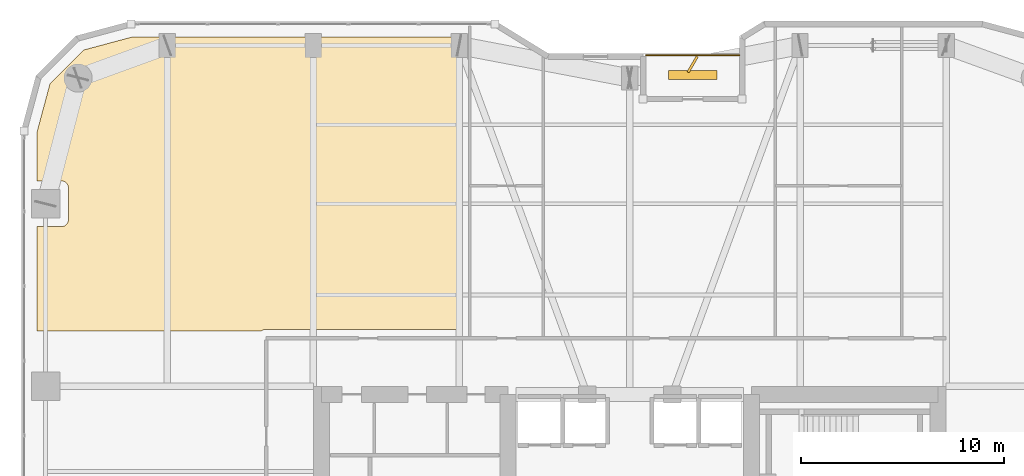
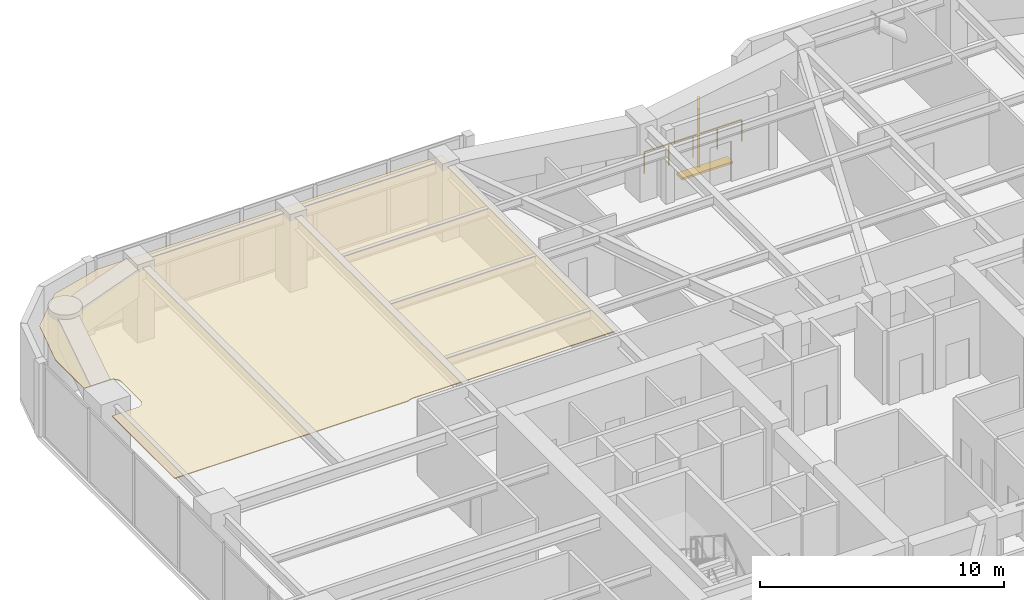
# One storey, part 30 of 30: 2 shading devices, 1 covering, 1 railing.
"""IFC4 building model written with IfcOpenShell, lengths in metres."""

from ifc_helpers import new_model, si_unit, direction, frame, origin, origin_2d, place, context, subcontext, project, spatial, polyline, rectangle, outline, extrude, material, layer, layer_set, type_object, element, save


model = new_model("IFC4")

# Units and contexts
model_context = context("Model", 3, precision=1e-05, world=origin(), true_north=direction((0.0, 1.0)))
body_context = subcontext(model_context, "Body", "Model", "MODEL_VIEW")
ifc_project = project(units=[si_unit("LENGTHUNIT", "METRE"), si_unit("AREAUNIT", "SQUARE_METRE"), si_unit("VOLUMEUNIT", "CUBIC_METRE"), si_unit("PLANEANGLEUNIT", "RADIAN"), si_unit("MASSUNIT", "GRAM", prefix="KILO")], contexts=[model_context])

# Site, building, storey
site_placement = place(None, origin())
site = spatial("IfcSite", under=ifc_project, at=site_placement, CompositionType="ELEMENT")
building_placement = place(site_placement, origin())
building = spatial("IfcBuilding", under=site, at=building_placement, Name="Kiyonajd Concourse Tower", CompositionType="ELEMENT")
storey_placement = place(building_placement, frame((0.0, 0.0, 150.60009765625)))
storey = spatial("IfcBuildingStorey", under=building, at=storey_placement, Name="L38", CompositionType="ELEMENT", Elevation=150.60009765625)

# Covering
ifc_material_1 = material(Name="Natural Oak Acoustic Timber Veneer", Category="wood")
ifc_layer = layer(ifc_material_1, 0.0400390625)
ifc_layer_set = layer_set([ifc_layer], Name="Natural Oak Acoustic Timber Veneer")
covering_type = type_object("IfcCoveringType", Name="CV-CLG-ACST", PredefinedType="CEILING", material=ifc_layer_set)
covering_placement = place(storey_placement, frame((0.0, 0.0, 3.5)))
element("IfcCovering", 1, at=covering_placement, inside=storey, type_object=covering_type, Name="L38-44 Room Acoustic Ceiling", PredefinedType="CEILING", context=body_context, shape_type="SweptSolid", body=[
    extrude(outline(polyline([(21.097900390625, 60.986083984375), (23.5009765625, 61.6298828125), (39.760009765625, 61.6298828125), (39.760009765625, 47.2099609375), (30.074951171875, 47.2099609375), (29.945068359375, 47.18994140625), (29.882080078125, 47.1640625), (29.826904296875, 47.1298828125), (18.77001953125, 47.1298828125), (18.77001953125, 52.27001953125), (19.97998046875, 52.27001953125), (20.048095703125, 52.277099609375), (20.14501953125, 52.31103515625), (20.201904296875, 52.34912109375), (20.2509765625, 52.39794921875), (20.2890625, 52.455078125), (20.31494140625, 52.51806640625), (20.330078125, 52.6201171875), (20.330078125, 54.179931640625), (20.31494140625, 54.281982421875), (20.2890625, 54.344970703125), (20.2509765625, 54.402099609375), (20.201904296875, 54.450927734375), (20.14501953125, 54.489013671875), (20.08203125, 54.514892578125), (20.013916015625, 54.528076171875), (18.77001953125, 54.530029296875), (18.77001953125, 56.89892578125), (19.4140625, 59.302001953125), (21.097900390625, 60.986083984375)])), origin(), (0.0, 0.0, 1.0), 0.039794921875),
])

# Railing
ifc_material_2 = material(Name="Thermally Broken Anodised Aluminium", Category="aluminium")
railing_type = type_object("IfcRailingType", Name="RL-GRD-LOG", PredefinedType="GUARDRAIL", material=ifc_material_2)
railing_placement = place(storey_placement, frame((53.39990234375, 60.719970703125, 0.0)))
element("IfcRailing", 2, at=railing_placement, inside=storey, type_object=railing_type, Name="L38 Engawa Loggia Perimeter Guard LOG-N", PredefinedType="GUARDRAIL", context=body_context, shape_type="SweptSolid", body=[
    extrude(rectangle(XDim=0.048095703125, YDim=0.048095703125, at=origin_2d()), frame((0.0, 0.0, 1.076171875), z_axis=(-1.0, 0.0, 0.0), x_axis=(0.0, -1.0, 0.0)), (0.0, 0.0, 1.0), 4.599853515625),
    extrude(rectangle(XDim=0.0419921875, YDim=0.0419921875, at=origin_2d()), origin(), (0.0, 0.0, 1.0), 1.052001953125),
    extrude(rectangle(XDim=0.0419921875, YDim=0.0419921875, at=origin_2d()), frame((-1.14990234375, 0.0, 0.0)), (0.0, 0.0, 1.0), 1.052001953125),
    extrude(rectangle(XDim=0.0419921875, YDim=0.0419921875, at=origin_2d()), frame((-2.2998046875, 0.0, 0.0)), (0.0, 0.0, 1.0), 1.052001953125),
    extrude(rectangle(XDim=0.0419921875, YDim=0.0419921875, at=origin_2d()), frame((-3.449951171875, 0.0, 0.0)), (0.0, 0.0, 1.0), 1.052001953125),
    extrude(rectangle(XDim=0.0419921875, YDim=0.0419921875, at=origin_2d()), frame((-4.599853515625, 0.0, 0.0)), (0.0, 0.0, 1.0), 1.052001953125),
])

# Shading devices
ifc_material_3 = material(Name="Precast concrete C50/60", Category="concrete")
shading_device_type_1 = type_object("IfcShadingDeviceType", Name="SH-FIN-900", PredefinedType="USERDEFINED", material=ifc_material_3)
shading_device_1_placement = place(storey_placement, frame((51.10009765625, 60.27001953125, 0.0), z_axis=(0.0, 0.0, 1.0), x_axis=(0.5, 0.866025403784, 0.0)))
element("IfcShadingDevice", 3, at=shading_device_1_placement, inside=storey, type_object=shading_device_type_1, Name="L38 Angled Koshi Solar Fin LOG-N", ObjectType="FIN", PredefinedType="USERDEFINED", context=body_context, shape_type="SweptSolid", body=[
    extrude(rectangle(XDim=0.89990234375, YDim=0.1201171875, at=origin_2d()), origin(), (0.0, 0.0, 1.0), 3.0),
])
shading_device_type_2 = type_object("IfcShadingDeviceType", Name="SH-LVR-600", PredefinedType="JALOUSIE", material=ifc_material_2)
shading_device_2_placement = place(storey_placement, frame((51.10009765625, 59.75, -0.000244140625), z_axis=(0.0, 0.0, 1.0), x_axis=(1.0, 0.0, 0.0)))
element("IfcShadingDevice", 4, at=shading_device_2_placement, inside=storey, type_object=shading_device_type_2, Name="L38 Loggia Threshold Louver LOG-N", PredefinedType="JALOUSIE", context=body_context, shape_type="SweptSolid", body=[
    extrude(rectangle(XDim=2.39990234375, YDim=0.449951171875, at=origin_2d()), origin(), (0.0, 0.0, 1.0), 0.10009765625),
])

save(model, "model.ifc")
